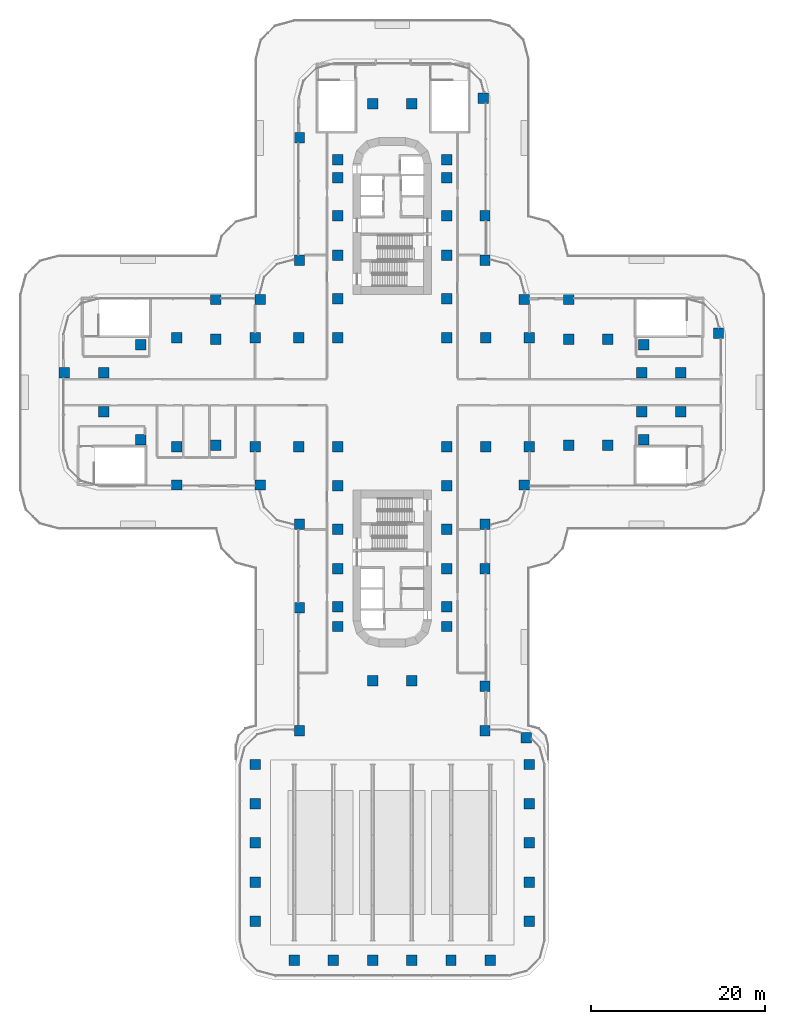
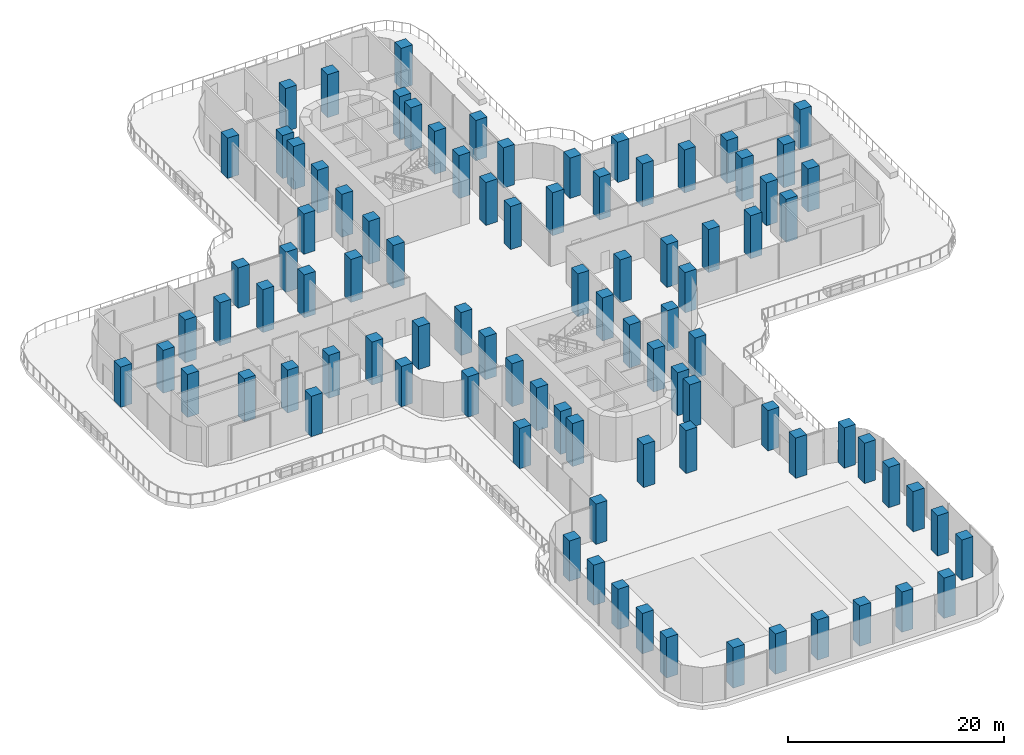
# One storey, part 1 of 21: 92 columns.
"""IFC4 building model written with IfcOpenShell, lengths in metres."""

import ifcopenshell
import ifcopenshell.guid

model = None  # the IFC model being written
_history = None  # IfcOwnerHistory: only IFC2X3 demands one
_inside = {}  # id of a spatial element -> (the spatial element, [elements in it])
_under = {}  # id of a project, library or spatial element -> (it, [spatial elements below it])
_declared = {}  # id of a project -> (the project, [libraries it declares])
_typed = {}  # id of a type object -> (the type object, [elements of that type])
_made_of = {}  # id of a material, layer set ... -> (it, [elements and type objects made of it])


def new_model(schema):
    """Start an empty IFC model of exactly this schema.

    Asked for "IFC4X3", IfcOpenShell would pick the latest addendum, in which some entities
    have other attributes; the version numbers below select the first issue.
    IFC2X3 requires an IfcOwnerHistory on every rooted entity: one is made here for all.
    """
    global model, _history
    if schema == "IFC4X3":
        model = ifcopenshell.file(schema_version=(4, 3, 0, 0))
    else:
        model = ifcopenshell.file(schema=schema)
    _inside.clear()
    _under.clear()
    _declared.clear()
    _typed.clear()
    _made_of.clear()
    _history = None
    if model.schema == "IFC2X3":
        org = make("IfcOrganization", Name="unknown")
        user = make(
            "IfcPersonAndOrganization",
            ThePerson=make("IfcPerson", FamilyName="unknown"),
            TheOrganization=org,
        )
        app = make(
            "IfcApplication",
            ApplicationDeveloper=org,
            Version="unknown",
            ApplicationFullName="unknown",
            ApplicationIdentifier="unknown",
        )
        _history = make(
            "IfcOwnerHistory",
            OwningUser=user,
            OwningApplication=app,
            ChangeAction="ADDED",
            CreationDate=0,
        )
    return model


def make(cls, **values):
    """One entity of the class cls with the attributes given. An attribute that is None is left unset."""
    return model.create_entity(
        cls, **{name: value for name, value in values.items() if value is not None}
    )


def rooted(cls, **values):
    """An entity with a GlobalId (a new one), such as an element, a storey or a relation."""
    return make(cls, GlobalId=ifcopenshell.guid.new(), OwnerHistory=_history, **values)


def si_unit(unit_type, name, prefix=None):
    """IfcSIUnit, for example si_unit("LENGTHUNIT", "METRE", prefix="MILLI")."""
    return make("IfcSIUnit", UnitType=unit_type, Prefix=prefix, Name=name)


def assignment(units):
    """IfcUnitAssignment: the units of a project."""
    return None if units is None else make("IfcUnitAssignment", Units=units)


def point(xyz):
    """IfcCartesianPoint."""
    return None if xyz is None else make("IfcCartesianPoint", Coordinates=xyz)


def direction(xyz):
    """IfcDirection."""
    return None if xyz is None else make("IfcDirection", DirectionRatios=xyz)


def frame(location, z_axis=None, x_axis=None):
    """IfcAxis2Placement3D, a coordinate frame: its origin and axes. An axis left out is left unset."""
    return make(
        "IfcAxis2Placement3D",
        Location=point(location),
        Axis=direction(z_axis),
        RefDirection=direction(x_axis),
    )


def frame_2d(location, x_axis=None):
    """IfcAxis2Placement2D, a coordinate frame in the plane: its origin and x axis."""
    return make(
        "IfcAxis2Placement2D", Location=point(location), RefDirection=direction(x_axis)
    )


def origin():
    """The frame at (0, 0, 0) with its axes left unset."""
    return frame((0.0, 0.0, 0.0))


def origin_2d():
    """The frame at (0, 0) in the plane with its x axis left unset."""
    return frame_2d((0.0, 0.0))


def place(relative_to, where):
    """IfcLocalPlacement: puts the frame where relative to a parent placement (None: the world)."""
    return make(
        "IfcLocalPlacement", PlacementRelTo=relative_to, RelativePlacement=where
    )


def context(
    kind, dimensions, precision=None, world=None, true_north=None, identifier=None
):
    """IfcGeometricRepresentationContext, for example the 3D "Model" context."""
    return make(
        "IfcGeometricRepresentationContext",
        ContextIdentifier=identifier,
        ContextType=kind,
        CoordinateSpaceDimension=dimensions,
        Precision=precision,
        WorldCoordinateSystem=world,
        TrueNorth=true_north,
    )


def subcontext(parent, identifier, kind, view, scale=None):
    """IfcGeometricRepresentationSubContext, for example "Body" below "Model"."""
    return make(
        "IfcGeometricRepresentationSubContext",
        ContextIdentifier=identifier,
        ContextType=kind,
        ParentContext=parent,
        TargetScale=scale,
        TargetView=view,
    )


def project(units=None, contexts=None):
    """IfcProject with its units and contexts."""
    return rooted(
        "IfcProject",
        Name="project",
        RepresentationContexts=contexts,
        UnitsInContext=assignment(units),
    )


def spatial(cls, under=None, at=None, **own):
    """A site, building, storey or space (cls), placed at a placement, below another one or the project."""
    s = rooted(cls, ObjectPlacement=at, **own)
    if under is not None:
        _under.setdefault(under.id(), (under, []))[1].append(s)
    return s


def profile(cls, at=None, kind="AREA", **sizes):
    """A parametric profile (cls). Its sizes go by their IFC names, for example OverallWidth=200.0."""
    return make(cls, ProfileType=kind, Position=at, **sizes)


def rectangle(**sizes):
    """IfcRectangleProfileDef."""
    return profile("IfcRectangleProfileDef", **sizes)


def extrude(swept, where, along, depth):
    """IfcExtrudedAreaSolid: the profile swept, set in the frame where, extruded along a direction by depth."""
    return make(
        "IfcExtrudedAreaSolid",
        SweptArea=swept,
        Position=where,
        ExtrudedDirection=direction(along),
        Depth=depth,
    )


def shape(context_of_items, identifier, shape_type, items):
    """IfcShapeRepresentation: the items that make up one representation, for example the "Body"."""
    return make(
        "IfcShapeRepresentation",
        ContextOfItems=context_of_items,
        RepresentationIdentifier=identifier,
        RepresentationType=shape_type,
        Items=items,
    )


def material(Name=None, Category=None):
    """IfcMaterial."""
    return make("IfcMaterial", Name=Name, Category=Category)


def material_profile(
    of_material, cross_section, Name=None, Category=None, Priority=None
):
    """IfcMaterialProfile: a cross section and its material."""
    return make(
        "IfcMaterialProfile",
        Name=Name,
        Material=of_material,
        Profile=cross_section,
        Priority=Priority,
        Category=Category,
    )


def profile_set(profiles, Name=None, composite=None):
    """IfcMaterialProfileSet."""
    return make(
        "IfcMaterialProfileSet",
        Name=Name,
        MaterialProfiles=profiles,
        CompositeProfile=composite,
    )


def made_of(thing, what):
    """Note that an element or type object is made of a material, layer set ...; save() writes the relation."""
    if what is not None:
        _made_of.setdefault(what.id(), (what, []))[1].append(thing)
    return thing


def type_object(cls, material=None, **own):
    """A type object (cls), such as IfcWallType, which elements share."""
    return made_of(rooted(cls, **own), material)


def element(
    cls,
    number,
    at=None,
    inside=None,
    cuts=None,
    type_object=None,
    material=None,
    context=None,
    identifier="Body",
    shape_type=None,
    held_by="IfcProductDefinitionShape",
    body=None,
    shapes=None,
    **own,
):
    """One element of the class cls, such as IfcWall. Its Tag is "e" and its number.

    at: its placement. inside: the storey or other place that contains it. cuts: it is an
    opening in that element (IfcRelVoidsElement). A single representation is given by context,
    identifier, shape_type and body (its items); several are given by shapes. held_by: the class
    of the entity that holds the representations. save() writes the other relations.
    """
    e = rooted(cls, Tag="e%d" % number, ObjectPlacement=at, **own)
    if body is not None:
        shapes = [shape(context, identifier, shape_type, body)]
    if shapes is not None:
        e.Representation = make(held_by, Representations=shapes)
    if inside is not None:
        _inside.setdefault(inside.id(), (inside, []))[1].append(e)
    if cuts is not None:
        rooted(
            "IfcRelVoidsElement", RelatingBuildingElement=cuts, RelatedOpeningElement=e
        )
    if type_object is not None:
        _typed.setdefault(type_object.id(), (type_object, []))[1].append(e)
    return made_of(e, material)


def aggregate(whole, parts):
    """IfcRelAggregates: a whole, such as a stair, and the parts it consists of."""
    return rooted("IfcRelAggregates", RelatingObject=whole, RelatedObjects=parts)


def save(model, path):
    """Write the relations noted so far, then the file.

    IfcRelAggregates (storeys below a building ...), IfcRelContainedInSpatialStructure (elements
    in a storey), IfcRelDefinesByType, IfcRelAssociatesMaterial and IfcRelDeclares: one each for
    every whole, place, type object, material and project.
    """
    for whole, parts in _under.values():
        aggregate(whole, parts)
    for where, things in _inside.values():
        rooted(
            "IfcRelContainedInSpatialStructure",
            RelatedElements=things,
            RelatingStructure=where,
        )
    for kind, things in _typed.values():
        rooted("IfcRelDefinesByType", RelatedObjects=things, RelatingType=kind)
    for what, things in _made_of.values():
        rooted("IfcRelAssociatesMaterial", RelatedObjects=things, RelatingMaterial=what)
    for by, libraries in _declared.values():
        rooted("IfcRelDeclares", RelatingContext=by, RelatedDefinitions=libraries)
    model.write(path)


model = new_model("IFC4")

# Units and contexts
model_context = context("Model", 3, precision=1e-05, world=origin(), true_north=direction((0.0, 1.0)))
body_context = subcontext(model_context, "Body", "Model", "MODEL_VIEW")
ifc_project = project(units=[si_unit("LENGTHUNIT", "METRE"), si_unit("AREAUNIT", "SQUARE_METRE"), si_unit("VOLUMEUNIT", "CUBIC_METRE"), si_unit("PLANEANGLEUNIT", "RADIAN"), si_unit("MASSUNIT", "GRAM", prefix="KILO")], contexts=[model_context])

# Site, building, storey
site_placement = place(None, origin())
site = spatial("IfcSite", under=ifc_project, at=site_placement, CompositionType="ELEMENT")
building_placement = place(site_placement, origin())
building = spatial("IfcBuilding", under=site, at=building_placement, Name="Zarbagh Exchange Tower", CompositionType="ELEMENT")
storey_placement = place(building_placement, frame((0.0, 0.0, 22.0)))
storey = spatial("IfcBuildingStorey", under=building, at=storey_placement, Name="L04", CompositionType="ELEMENT", Elevation=22.0)

# Columns
ifc_material = material(Name="Concrete C60/75", Category="concrete")
ifc_material_profile = material_profile(ifc_material, rectangle(XDim=1.199951171875, YDim=1.199951171875, at=origin_2d()), Name="RC column 1200 x 1200 C60/75")
ifc_profile_set = profile_set([ifc_material_profile], Name="Concrete C60/75")
column_type = type_object("IfcColumnType", Name="RC column 1200 x 1200 C60/75", PredefinedType="COLUMN", material=ifc_profile_set)
column_1_placement = place(storey_placement, frame((-37.64990234375, 2.25, 0.0), z_axis=(0.0, 0.0, 1.0), x_axis=(1.0, 0.0, 0.0)))
element("IfcColumn", 1, at=column_1_placement, inside=storey, type_object=column_type, Name="C1 9/T", PredefinedType="COLUMN", context=body_context, shape_type="SweptSolid", body=[
    extrude(rectangle(XDim=1.199951171875, YDim=1.199951171875, at=origin_2d()), origin(), (0.0, 0.0, 1.0), 4.550048828125),
])
for number, where, z_axis, x_axis, name in (
    (2, (-33.110107421875, -2.25, 0.0), (0.0, 0.0, 1.0), (1.0, 0.0, 0.0), "C1 10/S"),
    (3, (-33.110107421875, 2.25, 0.0), (0.0, 0.0, 1.0), (1.0, 0.0, 0.0), "C1 10/T"),
    (4, (-28.907958984375, -5.47509765625, 0.0), (0.0, 0.0, 1.0), (1.0, 0.0, 0.0), "C1 11/R"),
    (5, (-28.907958984375, 5.47509765625, 0.0), (0.0, 0.0, 1.0), (1.0, 0.0, 0.0), "C1 11/U"),
):
    element("IfcColumn", number, at=place(storey_placement, frame(where, z_axis=z_axis, x_axis=x_axis)), inside=storey, type_object=column_type, Name=name, PredefinedType="COLUMN", context=body_context, shape_type="SweptSolid", body=[
        extrude(rectangle(XDim=1.199951171875, YDim=1.199951171875, at=origin_2d()), origin(), (0.0, 0.0, 1.0), 4.85009765625),
    ])
column_2_placement = place(storey_placement, frame((-24.75, -10.64990234375, 0.0), z_axis=(0.0, 0.0, 1.0), x_axis=(1.0, 0.0, 0.0)))
element("IfcColumn", 6, at=column_2_placement, inside=storey, type_object=column_type, Name="C1 12/Q", PredefinedType="COLUMN", context=body_context, shape_type="SweptSolid", body=[
    extrude(rectangle(XDim=1.199951171875, YDim=1.199951171875, at=origin_2d()), origin(), (0.0, 0.0, 1.0), 4.550048828125),
])
for number, where, z_axis, x_axis, name in (
    (7, (-24.75, -6.25, 0.0), (0.0, 0.0, 1.0), (1.0, 0.0, 0.0), "C1 12/R"),
    (8, (-24.75, 6.25, 0.0), (0.0, 0.0, 1.0), (1.0, 0.0, 0.0), "C1 12/U"),
    (9, (-20.25, -6.110107421875, 0.0), (0.0, 0.0, 1.0), (1.0, 0.0, 0.0), "C1 13/R"),
    (10, (-20.25, 6.110107421875, 0.0), (0.0, 0.0, 1.0), (1.0, 0.0, 0.0), "C1 13/U"),
):
    element("IfcColumn", number, at=place(storey_placement, frame(where, z_axis=z_axis, x_axis=x_axis)), inside=storey, type_object=column_type, Name=name, PredefinedType="COLUMN", context=body_context, shape_type="SweptSolid", body=[
        extrude(rectangle(XDim=1.199951171875, YDim=1.199951171875, at=origin_2d()), origin(), (0.0, 0.0, 1.0), 4.85009765625),
    ])
for number, where, z_axis, x_axis, name in (
    (11, (-20.25, 10.64990234375, 0.0), (0.0, 0.0, 1.0), (1.0, 0.0, 0.0), "C1 13/V"),
    (12, (-15.75, -60.75, 0.0), (0.0, 0.0, 1.0), (1.0, 0.0, 0.0), "C1 14/D"),
    (13, (-15.75, -56.25, 0.0), (0.0, 0.0, 1.0), (1.0, 0.0, 0.0), "C1 14/E"),
    (14, (-15.75, -51.75, 0.0), (0.0, 0.0, 1.0), (1.0, 0.0, 0.0), "C1 14/F"),
    (15, (-15.75, -47.25, 0.0), (0.0, 0.0, 1.0), (1.0, 0.0, 0.0), "C1 14/G"),
    (16, (-15.75, -42.75, 0.0), (0.0, 0.0, 1.0), (1.0, 0.0, 0.0), "C1 14/H"),
    (17, (-15.14990234375, -10.64990234375, 0.0), (0.0, 0.0, 1.0), (1.0, 0.0, 0.0), "C1 14/Q"),
):
    element("IfcColumn", number, at=place(storey_placement, frame(where, z_axis=z_axis, x_axis=x_axis)), inside=storey, type_object=column_type, Name=name, PredefinedType="COLUMN", context=body_context, shape_type="SweptSolid", body=[
        extrude(rectangle(XDim=1.199951171875, YDim=1.199951171875, at=origin_2d()), origin(), (0.0, 0.0, 1.0), 4.550048828125),
    ])
for number, where, z_axis, x_axis, name in (
    (18, (-15.75, -6.25, 0.0), (0.0, 0.0, 1.0), (1.0, 0.0, 0.0), "C1 14/R"),
    (19, (-15.75, 6.25, 0.0), (0.0, 0.0, 1.0), (1.0, 0.0, 0.0), "C1 14/U"),
):
    element("IfcColumn", number, at=place(storey_placement, frame(where, z_axis=z_axis, x_axis=x_axis)), inside=storey, type_object=column_type, Name=name, PredefinedType="COLUMN", context=body_context, shape_type="SweptSolid", body=[
        extrude(rectangle(XDim=1.199951171875, YDim=1.199951171875, at=origin_2d()), origin(), (0.0, 0.0, 1.0), 4.85009765625),
    ])
for number, where, z_axis, x_axis, name in (
    (20, (-15.14990234375, 10.64990234375, 0.0), (0.0, 0.0, 1.0), (1.0, 0.0, 0.0), "C1 14/V"),
    (21, (-11.25, -65.25, 0.0), (0.0, 0.0, 1.0), (1.0, 0.0, 0.0), "C1 15/C"),
    (22, (-10.64990234375, -38.85009765625, 0.0), (0.0, 0.0, 1.0), (1.0, 0.0, 0.0), "C1 15/J"),
    (23, (-10.64990234375, -24.75, 0.0), (0.0, 0.0, 1.0), (1.0, 0.0, 0.0), "C1 15/M"),
    (24, (-10.64990234375, -15.14990234375, 0.0), (0.0, 0.0, 1.0), (1.0, 0.0, 0.0), "C1 15/P"),
):
    element("IfcColumn", number, at=place(storey_placement, frame(where, z_axis=z_axis, x_axis=x_axis)), inside=storey, type_object=column_type, Name=name, PredefinedType="COLUMN", context=body_context, shape_type="SweptSolid", body=[
        extrude(rectangle(XDim=1.199951171875, YDim=1.199951171875, at=origin_2d()), origin(), (0.0, 0.0, 1.0), 4.550048828125),
    ])
for number, where, z_axis, x_axis, name in (
    (25, (-10.75, -6.25, 0.0), (0.0, 0.0, 1.0), (1.0, 0.0, 0.0), "C1 15/R"),
    (26, (-10.75, 6.25, 0.0), (0.0, 0.0, 1.0), (1.0, 0.0, 0.0), "C1 15/U"),
):
    element("IfcColumn", number, at=place(storey_placement, frame(where, z_axis=z_axis, x_axis=x_axis)), inside=storey, type_object=column_type, Name=name, PredefinedType="COLUMN", context=body_context, shape_type="SweptSolid", body=[
        extrude(rectangle(XDim=1.199951171875, YDim=1.199951171875, at=origin_2d()), origin(), (0.0, 0.0, 1.0), 4.85009765625),
    ])
for number, where, z_axis, x_axis, name in (
    (27, (-10.64990234375, 15.14990234375, 0.0), (0.0, 0.0, 1.0), (1.0, 0.0, 0.0), "C1 15/W"),
    (28, (-10.64990234375, 29.25, 0.0), (0.0, 0.0, 1.0), (1.0, 0.0, 0.0), "C1 15/Z"),
    (29, (-6.75, -65.25, 0.0), (0.0, 0.0, 1.0), (1.0, 0.0, 0.0), "C1 16/C"),
):
    element("IfcColumn", number, at=place(storey_placement, frame(where, z_axis=z_axis, x_axis=x_axis)), inside=storey, type_object=column_type, Name=name, PredefinedType="COLUMN", context=body_context, shape_type="SweptSolid", body=[
        extrude(rectangle(XDim=1.199951171875, YDim=1.199951171875, at=origin_2d()), origin(), (0.0, 0.0, 1.0), 4.550048828125),
    ])
for number, where, z_axis, x_axis, name in (
    (30, (-6.25, -26.89990234375, 0.0), (0.0, 0.0, 1.0), (1.0, 0.0, 0.0), "C1 16/L"),
    (31, (-6.25, -24.64990234375, 0.0), (0.0, 0.0, 1.0), (1.0, 0.0, 0.0), "C1 16/M"),
    (32, (-6.25, -20.25, 0.0), (0.0, 0.0, 1.0), (1.0, 0.0, 0.0), "C1 16/N"),
    (33, (-6.25, -15.75, 0.0), (0.0, 0.0, 1.0), (1.0, 0.0, 0.0), "C1 16/P"),
    (34, (-6.25, -10.75, 0.0), (0.0, 0.0, 1.0), (1.0, 0.0, 0.0), "C1 16/Q"),
    (35, (-6.25, -6.25, 0.0), (0.0, 0.0, 1.0), (1.0, 0.0, 0.0), "C1 16/R"),
    (36, (-6.25, 6.25, 0.0), (0.0, 0.0, 1.0), (1.0, 0.0, 0.0), "C1 16/U"),
    (37, (-6.25, 10.75, 0.0), (0.0, 0.0, 1.0), (1.0, 0.0, 0.0), "C1 16/V"),
    (38, (-6.25, 15.75, 0.0), (0.0, 0.0, 1.0), (1.0, 0.0, 0.0), "C1 16/W"),
    (39, (-6.25, 20.25, 0.0), (0.0, 0.0, 1.0), (1.0, 0.0, 0.0), "C1 16/X"),
    (40, (-6.25, 24.64990234375, 0.0), (0.0, 0.0, 1.0), (1.0, 0.0, 0.0), "C1 16/Y"),
    (41, (-6.25, 26.699951171875, 0.0), (0.0, 0.0, 1.0), (1.0, 0.0, 0.0), "C1 16/Z"),
):
    element("IfcColumn", number, at=place(storey_placement, frame(where, z_axis=z_axis, x_axis=x_axis)), inside=storey, type_object=column_type, Name=name, PredefinedType="COLUMN", context=body_context, shape_type="SweptSolid", body=[
        extrude(rectangle(XDim=1.199951171875, YDim=1.199951171875, at=origin_2d()), origin(), (0.0, 0.0, 1.0), 4.85009765625),
    ])
column_3_placement = place(storey_placement, frame((-2.25, -65.25, 0.0), z_axis=(0.0, 0.0, 1.0), x_axis=(1.0, 0.0, 0.0)))
element("IfcColumn", 42, at=column_3_placement, inside=storey, type_object=column_type, Name="C1 17/C", PredefinedType="COLUMN", context=body_context, shape_type="SweptSolid", body=[
    extrude(rectangle(XDim=1.199951171875, YDim=1.199951171875, at=origin_2d()), origin(), (0.0, 0.0, 1.0), 4.550048828125),
])
for number, where, z_axis, x_axis, name in (
    (43, (-2.25, -33.110107421875, 0.0), (0.0, 0.0, 1.0), (1.0, 0.0, 0.0), "C1 17/K"),
    (44, (-2.25, 33.110107421875, 0.0), (0.0, 0.0, 1.0), (1.0, 0.0, 0.0), "C1 17/AA"),
):
    element("IfcColumn", number, at=place(storey_placement, frame(where, z_axis=z_axis, x_axis=x_axis)), inside=storey, type_object=column_type, Name=name, PredefinedType="COLUMN", context=body_context, shape_type="SweptSolid", body=[
        extrude(rectangle(XDim=1.199951171875, YDim=1.199951171875, at=origin_2d()), origin(), (0.0, 0.0, 1.0), 4.85009765625),
    ])
column_4_placement = place(storey_placement, frame((2.25, -65.25, 0.0), z_axis=(0.0, 0.0, 1.0), x_axis=(1.0, 0.0, 0.0)))
element("IfcColumn", 45, at=column_4_placement, inside=storey, type_object=column_type, Name="C1 18/C", PredefinedType="COLUMN", context=body_context, shape_type="SweptSolid", body=[
    extrude(rectangle(XDim=1.199951171875, YDim=1.199951171875, at=origin_2d()), origin(), (0.0, 0.0, 1.0), 4.550048828125),
])
for number, where, z_axis, x_axis, name in (
    (46, (2.25, -33.110107421875, 0.0), (0.0, 0.0, 1.0), (1.0, 0.0, 0.0), "C1 18/K"),
    (47, (2.25, 33.110107421875, 0.0), (0.0, 0.0, 1.0), (1.0, 0.0, 0.0), "C1 18/AA"),
):
    element("IfcColumn", number, at=place(storey_placement, frame(where, z_axis=z_axis, x_axis=x_axis)), inside=storey, type_object=column_type, Name=name, PredefinedType="COLUMN", context=body_context, shape_type="SweptSolid", body=[
        extrude(rectangle(XDim=1.199951171875, YDim=1.199951171875, at=origin_2d()), origin(), (0.0, 0.0, 1.0), 4.85009765625),
    ])
column_5_placement = place(storey_placement, frame((6.75, -65.25, 0.0), z_axis=(0.0, 0.0, 1.0), x_axis=(1.0, 0.0, 0.0)))
element("IfcColumn", 48, at=column_5_placement, inside=storey, type_object=column_type, Name="C1 19/C", PredefinedType="COLUMN", context=body_context, shape_type="SweptSolid", body=[
    extrude(rectangle(XDim=1.199951171875, YDim=1.199951171875, at=origin_2d()), origin(), (0.0, 0.0, 1.0), 4.550048828125),
])
for number, where, z_axis, x_axis, name in (
    (49, (6.25, -26.89990234375, 0.0), (0.0, 0.0, 1.0), (1.0, 0.0, 0.0), "C1 19/L"),
    (50, (6.25, -24.64990234375, 0.0), (0.0, 0.0, 1.0), (1.0, 0.0, 0.0), "C1 19/M"),
    (51, (6.25, -20.25, 0.0), (0.0, 0.0, 1.0), (1.0, 0.0, 0.0), "C1 19/N"),
    (52, (6.25, -15.75, 0.0), (0.0, 0.0, 1.0), (1.0, 0.0, 0.0), "C1 19/P"),
    (53, (6.25, -10.75, 0.0), (0.0, 0.0, 1.0), (1.0, 0.0, 0.0), "C1 19/Q"),
    (54, (6.25, -6.25, 0.0), (0.0, 0.0, 1.0), (1.0, 0.0, 0.0), "C1 19/R"),
    (55, (6.25, 6.25, 0.0), (0.0, 0.0, 1.0), (1.0, 0.0, 0.0), "C1 19/U"),
    (56, (6.25, 10.75, 0.0), (0.0, 0.0, 1.0), (1.0, 0.0, 0.0), "C1 19/V"),
    (57, (6.25, 15.75, 0.0), (0.0, 0.0, 1.0), (1.0, 0.0, 0.0), "C1 19/W"),
    (58, (6.25, 20.25, 0.0), (0.0, 0.0, 1.0), (1.0, 0.0, 0.0), "C1 19/X"),
    (59, (6.25, 24.64990234375, 0.0), (0.0, 0.0, 1.0), (1.0, 0.0, 0.0), "C1 19/Y"),
    (60, (6.25, 26.699951171875, 0.0), (0.0, 0.0, 1.0), (1.0, 0.0, 0.0), "C1 19/Z"),
):
    element("IfcColumn", number, at=place(storey_placement, frame(where, z_axis=z_axis, x_axis=x_axis)), inside=storey, type_object=column_type, Name=name, PredefinedType="COLUMN", context=body_context, shape_type="SweptSolid", body=[
        extrude(rectangle(XDim=1.199951171875, YDim=1.199951171875, at=origin_2d()), origin(), (0.0, 0.0, 1.0), 4.85009765625),
    ])
for number, where, z_axis, x_axis, name in (
    (61, (11.25, -65.25, 0.0), (0.0, 0.0, 1.0), (1.0, 0.0, 0.0), "C1 20/C"),
    (62, (10.64990234375, -38.85009765625, 0.0), (0.0, 0.0, 1.0), (1.0, 0.0, 0.0), "C1 20/J"),
    (63, (10.64990234375, -33.75, 0.0), (0.0, 0.0, 1.0), (1.0, 0.0, 0.0), "C1 20/K"),
    (64, (10.64990234375, -20.25, 0.0), (0.0, 0.0, 1.0), (1.0, 0.0, 0.0), "C1 20/N"),
    (65, (10.64990234375, -15.14990234375, 0.0), (0.0, 0.0, 1.0), (1.0, 0.0, 0.0), "C1 20/P"),
):
    element("IfcColumn", number, at=place(storey_placement, frame(where, z_axis=z_axis, x_axis=x_axis)), inside=storey, type_object=column_type, Name=name, PredefinedType="COLUMN", context=body_context, shape_type="SweptSolid", body=[
        extrude(rectangle(XDim=1.199951171875, YDim=1.199951171875, at=origin_2d()), origin(), (0.0, 0.0, 1.0), 4.550048828125),
    ])
for number, where, z_axis, x_axis, name in (
    (66, (10.75, -6.25, 0.0), (0.0, 0.0, 1.0), (1.0, 0.0, 0.0), "C1 20/R"),
    (67, (10.75, 6.25, 0.0), (0.0, 0.0, 1.0), (1.0, 0.0, 0.0), "C1 20/U"),
):
    element("IfcColumn", number, at=place(storey_placement, frame(where, z_axis=z_axis, x_axis=x_axis)), inside=storey, type_object=column_type, Name=name, PredefinedType="COLUMN", context=body_context, shape_type="SweptSolid", body=[
        extrude(rectangle(XDim=1.199951171875, YDim=1.199951171875, at=origin_2d()), origin(), (0.0, 0.0, 1.0), 4.85009765625),
    ])
for number, where, z_axis, x_axis, name in (
    (68, (10.64990234375, 15.14990234375, 0.0), (0.0, 0.0, 1.0), (1.0, 0.0, 0.0), "C1 20/W"),
    (69, (10.64990234375, 20.25, 0.0), (0.0, 0.0, 1.0), (1.0, 0.0, 0.0), "C1 20/X"),
    (70, (10.469970703125, 33.75, 0.0), (0.0, 0.0, 1.0), (1.0, 0.0, 0.0), "C1 20/AA"),
    (71, (15.75, -60.75, 0.0), (0.0, 0.0, 1.0), (1.0, 0.0, 0.0), "C1 21/D"),
    (72, (15.75, -56.25, 0.0), (0.0, 0.0, 1.0), (1.0, 0.0, 0.0), "C1 21/E"),
    (73, (15.75, -51.75, 0.0), (0.0, 0.0, 1.0), (1.0, 0.0, 0.0), "C1 21/F"),
    (74, (15.75, -47.25, 0.0), (0.0, 0.0, 1.0), (1.0, 0.0, 0.0), "C1 21/G"),
    (75, (15.75, -42.75, 0.0), (0.0, 0.0, 1.0), (1.0, 0.0, 0.0), "C1 21/H"),
    (76, (15.366943359375, -39.679931640625, 0.0), (0.0, 0.0, 1.0), (1.0, 0.0, 0.0), "C1 21/J"),
    (77, (15.14990234375, -10.64990234375, 0.0), (0.0, 0.0, 1.0), (1.0, 0.0, 0.0), "C1 21/Q"),
):
    element("IfcColumn", number, at=place(storey_placement, frame(where, z_axis=z_axis, x_axis=x_axis)), inside=storey, type_object=column_type, Name=name, PredefinedType="COLUMN", context=body_context, shape_type="SweptSolid", body=[
        extrude(rectangle(XDim=1.199951171875, YDim=1.199951171875, at=origin_2d()), origin(), (0.0, 0.0, 1.0), 4.550048828125),
    ])
for number, where, z_axis, x_axis, name in (
    (78, (15.75, -6.25, 0.0), (0.0, 0.0, 1.0), (1.0, 0.0, 0.0), "C1 21/R"),
    (79, (15.75, 6.25, 0.0), (0.0, 0.0, 1.0), (1.0, 0.0, 0.0), "C1 21/U"),
):
    element("IfcColumn", number, at=place(storey_placement, frame(where, z_axis=z_axis, x_axis=x_axis)), inside=storey, type_object=column_type, Name=name, PredefinedType="COLUMN", context=body_context, shape_type="SweptSolid", body=[
        extrude(rectangle(XDim=1.199951171875, YDim=1.199951171875, at=origin_2d()), origin(), (0.0, 0.0, 1.0), 4.85009765625),
    ])
column_6_placement = place(storey_placement, frame((15.14990234375, 10.64990234375, 0.0), z_axis=(0.0, 0.0, 1.0), x_axis=(1.0, 0.0, 0.0)))
element("IfcColumn", 80, at=column_6_placement, inside=storey, type_object=column_type, Name="C1 21/V", PredefinedType="COLUMN", context=body_context, shape_type="SweptSolid", body=[
    extrude(rectangle(XDim=1.199951171875, YDim=1.199951171875, at=origin_2d()), origin(), (0.0, 0.0, 1.0), 4.550048828125),
])
for number, where, z_axis, x_axis, name in (
    (81, (20.25, -6.110107421875, 0.0), (0.0, 0.0, 1.0), (1.0, 0.0, 0.0), "C1 22/R"),
    (82, (20.25, 6.110107421875, 0.0), (0.0, 0.0, 1.0), (1.0, 0.0, 0.0), "C1 22/U"),
):
    element("IfcColumn", number, at=place(storey_placement, frame(where, z_axis=z_axis, x_axis=x_axis)), inside=storey, type_object=column_type, Name=name, PredefinedType="COLUMN", context=body_context, shape_type="SweptSolid", body=[
        extrude(rectangle(XDim=1.199951171875, YDim=1.199951171875, at=origin_2d()), origin(), (0.0, 0.0, 1.0), 4.85009765625),
    ])
column_7_placement = place(storey_placement, frame((20.25, 10.64990234375, 0.0), z_axis=(0.0, 0.0, 1.0), x_axis=(1.0, 0.0, 0.0)))
element("IfcColumn", 83, at=column_7_placement, inside=storey, type_object=column_type, Name="C1 22/V", PredefinedType="COLUMN", context=body_context, shape_type="SweptSolid", body=[
    extrude(rectangle(XDim=1.199951171875, YDim=1.199951171875, at=origin_2d()), origin(), (0.0, 0.0, 1.0), 4.550048828125),
])
for number, where, z_axis, x_axis, name in (
    (84, (24.75, -6.110107421875, 0.0), (0.0, 0.0, 1.0), (1.0, 0.0, 0.0), "C1 23/R"),
    (85, (24.75, 6.110107421875, 0.0), (0.0, 0.0, 1.0), (1.0, 0.0, 0.0), "C1 23/U"),
    (86, (28.907958984375, -5.47509765625, 0.0), (0.0, 0.0, 1.0), (1.0, 0.0, 0.0), "C1 24/R"),
    (87, (28.669921875, -2.25, 0.0), (0.0, 0.0, 1.0), (1.0, 0.0, 0.0), "C1 24/S"),
    (88, (28.669921875, 2.25, 0.0), (0.0, 0.0, 1.0), (1.0, 0.0, 0.0), "C1 24/T"),
    (89, (28.907958984375, 5.47509765625, 0.0), (0.0, 0.0, 1.0), (1.0, 0.0, 0.0), "C1 24/U"),
    (90, (33.110107421875, -2.25, 0.0), (0.0, 0.0, 1.0), (1.0, 0.0, 0.0), "C1 25/S"),
    (91, (33.110107421875, 2.25, 0.0), (0.0, 0.0, 1.0), (1.0, 0.0, 0.0), "C1 25/T"),
):
    element("IfcColumn", number, at=place(storey_placement, frame(where, z_axis=z_axis, x_axis=x_axis)), inside=storey, type_object=column_type, Name=name, PredefinedType="COLUMN", context=body_context, shape_type="SweptSolid", body=[
        extrude(rectangle(XDim=1.199951171875, YDim=1.199951171875, at=origin_2d()), origin(), (0.0, 0.0, 1.0), 4.85009765625),
    ])
column_8_placement = place(storey_placement, frame((37.469970703125, 6.75, 0.0), z_axis=(0.0, 0.0, 1.0), x_axis=(1.0, 0.0, 0.0)))
element("IfcColumn", 92, at=column_8_placement, inside=storey, type_object=column_type, Name="C1 26/U", PredefinedType="COLUMN", context=body_context, shape_type="SweptSolid", body=[
    extrude(rectangle(XDim=1.199951171875, YDim=1.199951171875, at=origin_2d()), origin(), (0.0, 0.0, 1.0), 4.550048828125),
])

save(model, "model.ifc")
